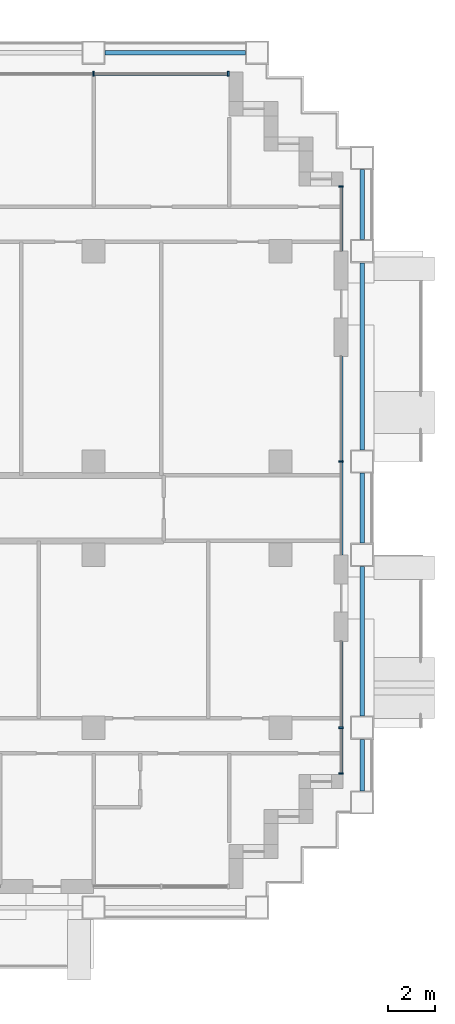
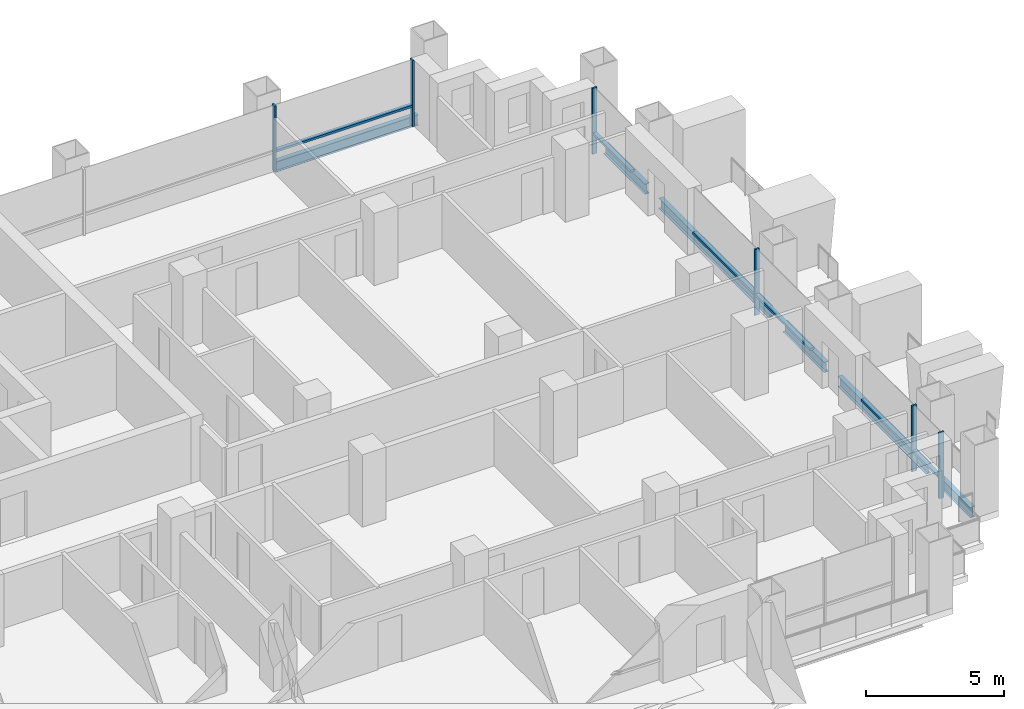
# One storey, part 6 of 18: 12 members, 6 beams, 4 elements without a shape of their own.
"""IFC4 building model written with IfcOpenShell, lengths in metres."""

import ifcopenshell
import ifcopenshell.guid

model = None  # the IFC model being written
_history = None  # IfcOwnerHistory: only IFC2X3 demands one
_inside = {}  # id of a spatial element -> (the spatial element, [elements in it])
_under = {}  # id of a project, library or spatial element -> (it, [spatial elements below it])
_declared = {}  # id of a project -> (the project, [libraries it declares])
_typed = {}  # id of a type object -> (the type object, [elements of that type])
_made_of = {}  # id of a material, layer set ... -> (it, [elements and type objects made of it])


def new_model(schema):
    """Start an empty IFC model of exactly this schema.

    Asked for "IFC4X3", IfcOpenShell would pick the latest addendum, in which some entities
    have other attributes; the version numbers below select the first issue.
    IFC2X3 requires an IfcOwnerHistory on every rooted entity: one is made here for all.
    """
    global model, _history
    if schema == "IFC4X3":
        model = ifcopenshell.file(schema_version=(4, 3, 0, 0))
    else:
        model = ifcopenshell.file(schema=schema)
    _inside.clear()
    _under.clear()
    _declared.clear()
    _typed.clear()
    _made_of.clear()
    _history = None
    if model.schema == "IFC2X3":
        org = make("IfcOrganization", Name="unknown")
        user = make(
            "IfcPersonAndOrganization",
            ThePerson=make("IfcPerson", FamilyName="unknown"),
            TheOrganization=org,
        )
        app = make(
            "IfcApplication",
            ApplicationDeveloper=org,
            Version="unknown",
            ApplicationFullName="unknown",
            ApplicationIdentifier="unknown",
        )
        _history = make(
            "IfcOwnerHistory",
            OwningUser=user,
            OwningApplication=app,
            ChangeAction="ADDED",
            CreationDate=0,
        )
    return model


def make(cls, **values):
    """One entity of the class cls with the attributes given. An attribute that is None is left unset."""
    return model.create_entity(
        cls, **{name: value for name, value in values.items() if value is not None}
    )


def rooted(cls, **values):
    """An entity with a GlobalId (a new one), such as an element, a storey or a relation."""
    return make(cls, GlobalId=ifcopenshell.guid.new(), OwnerHistory=_history, **values)


def si_unit(unit_type, name, prefix=None):
    """IfcSIUnit, for example si_unit("LENGTHUNIT", "METRE", prefix="MILLI")."""
    return make("IfcSIUnit", UnitType=unit_type, Prefix=prefix, Name=name)


def assignment(units):
    """IfcUnitAssignment: the units of a project."""
    return None if units is None else make("IfcUnitAssignment", Units=units)


def point(xyz):
    """IfcCartesianPoint."""
    return None if xyz is None else make("IfcCartesianPoint", Coordinates=xyz)


def direction(xyz):
    """IfcDirection."""
    return None if xyz is None else make("IfcDirection", DirectionRatios=xyz)


def frame(location, z_axis=None, x_axis=None):
    """IfcAxis2Placement3D, a coordinate frame: its origin and axes. An axis left out is left unset."""
    return make(
        "IfcAxis2Placement3D",
        Location=point(location),
        Axis=direction(z_axis),
        RefDirection=direction(x_axis),
    )


def frame_2d(location, x_axis=None):
    """IfcAxis2Placement2D, a coordinate frame in the plane: its origin and x axis."""
    return make(
        "IfcAxis2Placement2D", Location=point(location), RefDirection=direction(x_axis)
    )


def origin():
    """The frame at (0, 0, 0) with its axes left unset."""
    return frame((0.0, 0.0, 0.0))


def origin_2d():
    """The frame at (0, 0) in the plane with its x axis left unset."""
    return frame_2d((0.0, 0.0))


def place(relative_to, where):
    """IfcLocalPlacement: puts the frame where relative to a parent placement (None: the world)."""
    return make(
        "IfcLocalPlacement", PlacementRelTo=relative_to, RelativePlacement=where
    )


def context(
    kind, dimensions, precision=None, world=None, true_north=None, identifier=None
):
    """IfcGeometricRepresentationContext, for example the 3D "Model" context."""
    return make(
        "IfcGeometricRepresentationContext",
        ContextIdentifier=identifier,
        ContextType=kind,
        CoordinateSpaceDimension=dimensions,
        Precision=precision,
        WorldCoordinateSystem=world,
        TrueNorth=true_north,
    )


def subcontext(parent, identifier, kind, view, scale=None):
    """IfcGeometricRepresentationSubContext, for example "Body" below "Model"."""
    return make(
        "IfcGeometricRepresentationSubContext",
        ContextIdentifier=identifier,
        ContextType=kind,
        ParentContext=parent,
        TargetScale=scale,
        TargetView=view,
    )


def project(units=None, contexts=None):
    """IfcProject with its units and contexts."""
    return rooted(
        "IfcProject",
        Name="project",
        RepresentationContexts=contexts,
        UnitsInContext=assignment(units),
    )


def spatial(cls, under=None, at=None, **own):
    """A site, building, storey or space (cls), placed at a placement, below another one or the project."""
    s = rooted(cls, ObjectPlacement=at, **own)
    if under is not None:
        _under.setdefault(under.id(), (under, []))[1].append(s)
    return s


def profile(cls, at=None, kind="AREA", **sizes):
    """A parametric profile (cls). Its sizes go by their IFC names, for example OverallWidth=200.0."""
    return make(cls, ProfileType=kind, Position=at, **sizes)


def rectangle(**sizes):
    """IfcRectangleProfileDef."""
    return profile("IfcRectangleProfileDef", **sizes)


def i_section(**sizes):
    """IfcIShapeProfileDef."""
    return profile("IfcIShapeProfileDef", **sizes)


def extrude(swept, where, along, depth):
    """IfcExtrudedAreaSolid: the profile swept, set in the frame where, extruded along a direction by depth."""
    return make(
        "IfcExtrudedAreaSolid",
        SweptArea=swept,
        Position=where,
        ExtrudedDirection=direction(along),
        Depth=depth,
    )


def shape(context_of_items, identifier, shape_type, items):
    """IfcShapeRepresentation: the items that make up one representation, for example the "Body"."""
    return make(
        "IfcShapeRepresentation",
        ContextOfItems=context_of_items,
        RepresentationIdentifier=identifier,
        RepresentationType=shape_type,
        Items=items,
    )


def material(Name=None, Category=None):
    """IfcMaterial."""
    return make("IfcMaterial", Name=Name, Category=Category)


def material_profile(
    of_material, cross_section, Name=None, Category=None, Priority=None
):
    """IfcMaterialProfile: a cross section and its material."""
    return make(
        "IfcMaterialProfile",
        Name=Name,
        Material=of_material,
        Profile=cross_section,
        Priority=Priority,
        Category=Category,
    )


def profile_set(profiles, Name=None, composite=None):
    """IfcMaterialProfileSet."""
    return make(
        "IfcMaterialProfileSet",
        Name=Name,
        MaterialProfiles=profiles,
        CompositeProfile=composite,
    )


def made_of(thing, what):
    """Note that an element or type object is made of a material, layer set ...; save() writes the relation."""
    if what is not None:
        _made_of.setdefault(what.id(), (what, []))[1].append(thing)
    return thing


def type_object(cls, material=None, **own):
    """A type object (cls), such as IfcWallType, which elements share."""
    return made_of(rooted(cls, **own), material)


def element(
    cls,
    number,
    at=None,
    inside=None,
    cuts=None,
    type_object=None,
    material=None,
    context=None,
    identifier="Body",
    shape_type=None,
    held_by="IfcProductDefinitionShape",
    body=None,
    shapes=None,
    **own,
):
    """One element of the class cls, such as IfcWall. Its Tag is "e" and its number.

    at: its placement. inside: the storey or other place that contains it. cuts: it is an
    opening in that element (IfcRelVoidsElement). A single representation is given by context,
    identifier, shape_type and body (its items); several are given by shapes. held_by: the class
    of the entity that holds the representations. save() writes the other relations.
    """
    e = rooted(cls, Tag="e%d" % number, ObjectPlacement=at, **own)
    if body is not None:
        shapes = [shape(context, identifier, shape_type, body)]
    if shapes is not None:
        e.Representation = make(held_by, Representations=shapes)
    if inside is not None:
        _inside.setdefault(inside.id(), (inside, []))[1].append(e)
    if cuts is not None:
        rooted(
            "IfcRelVoidsElement", RelatingBuildingElement=cuts, RelatedOpeningElement=e
        )
    if type_object is not None:
        _typed.setdefault(type_object.id(), (type_object, []))[1].append(e)
    return made_of(e, material)


def aggregate(whole, parts):
    """IfcRelAggregates: a whole, such as a stair, and the parts it consists of."""
    return rooted("IfcRelAggregates", RelatingObject=whole, RelatedObjects=parts)


def save(model, path):
    """Write the relations noted so far, then the file.

    IfcRelAggregates (storeys below a building ...), IfcRelContainedInSpatialStructure (elements
    in a storey), IfcRelDefinesByType, IfcRelAssociatesMaterial and IfcRelDeclares: one each for
    every whole, place, type object, material and project.
    """
    for whole, parts in _under.values():
        aggregate(whole, parts)
    for where, things in _inside.values():
        rooted(
            "IfcRelContainedInSpatialStructure",
            RelatedElements=things,
            RelatingStructure=where,
        )
    for kind, things in _typed.values():
        rooted("IfcRelDefinesByType", RelatedObjects=things, RelatingType=kind)
    for what, things in _made_of.values():
        rooted("IfcRelAssociatesMaterial", RelatedObjects=things, RelatingMaterial=what)
    for by, libraries in _declared.values():
        rooted("IfcRelDeclares", RelatingContext=by, RelatedDefinitions=libraries)
    model.write(path)


model = new_model("IFC4")

# Units and contexts
model_context = context("Model", 3, precision=1e-05, world=origin(), true_north=direction((0.0, 1.0)))
body_context = subcontext(model_context, "Body", "Model", "MODEL_VIEW")
ifc_project = project(units=[si_unit("LENGTHUNIT", "METRE"), si_unit("AREAUNIT", "SQUARE_METRE"), si_unit("VOLUMEUNIT", "CUBIC_METRE"), si_unit("PLANEANGLEUNIT", "RADIAN"), si_unit("MASSUNIT", "GRAM", prefix="KILO")], contexts=[model_context])

# Site, building, storey
site_placement = place(None, origin())
site = spatial("IfcSite", under=ifc_project, at=site_placement, CompositionType="ELEMENT")
building_placement = place(site_placement, origin())
building = spatial("IfcBuilding", under=site, at=building_placement, Name="Vidyagriha Tower", CompositionType="ELEMENT")
storey_placement = place(building_placement, frame((0.0, 0.0, 54.39990234375)))
storey = spatial("IfcBuildingStorey", under=building, at=storey_placement, Name="L14", CompositionType="ELEMENT", Elevation=54.39990234375)

# Beams
ifc_material_1 = material(Name="Steel ASTM A992 Grade 50", Category="steel")
ifc_material_profile_1 = material_profile(ifc_material_1, i_section(OverallWidth=0.19189453125, OverallDepth=0.46240234375, WebThickness=0.010498046875, FlangeThickness=0.017578125, at=origin_2d()), Name="W18X60")
ifc_profile_set_1 = profile_set([ifc_material_profile_1], Name="Steel ASTM A992 Grade 50")
beam_type = type_object("IfcBeamType", Name="Edge beam W18X60", PredefinedType="SPANDREL", material=ifc_profile_set_1)
beam_1_placement = place(storey_placement, frame((37.5, -12.10009765625, -0.510986328125), z_axis=(0.0, 1.0, 0.0), x_axis=(-1.0, 0.0, 0.0)))
element("IfcBeam", 1, at=beam_1_placement, inside=storey, type_object=beam_type, Name="st-beam-L14-E15", PredefinedType="SPANDREL", context=body_context, shape_type="SweptSolid", body=[
    extrude(i_section(OverallWidth=0.19189453125, OverallDepth=0.46240234375, WebThickness=0.010498046875, FlangeThickness=0.017578125, at=origin_2d()), origin(), (0.0, 0.0, 1.0), 2.2001953125),
])
beam_2_placement = place(storey_placement, frame((37.5, -8.89990234375, -0.510986328125), z_axis=(0.0, 1.0, 0.0), x_axis=(-1.0, 0.0, 0.0)))
element("IfcBeam", 2, at=beam_2_placement, inside=storey, type_object=beam_type, Name="st-beam-L14-E16", PredefinedType="SPANDREL", context=body_context, shape_type="SweptSolid", body=[
    extrude(i_section(OverallWidth=0.19189453125, OverallDepth=0.46240234375, WebThickness=0.010498046875, FlangeThickness=0.017578125, at=origin_2d()), origin(), (0.0, 0.0, 1.0), 6.39990234375),
])
beam_3_placement = place(storey_placement, frame((37.5, -1.5, -0.510986328125), z_axis=(0.0, 1.0, 0.0), x_axis=(-1.0, 0.0, 0.0)))
element("IfcBeam", 3, at=beam_3_placement, inside=storey, type_object=beam_type, Name="st-beam-L14-E17", PredefinedType="SPANDREL", context=body_context, shape_type="SweptSolid", body=[
    extrude(i_section(OverallWidth=0.19189453125, OverallDepth=0.46240234375, WebThickness=0.010498046875, FlangeThickness=0.017578125, at=origin_2d()), origin(), (0.0, 0.0, 1.0), 3.0),
])
beam_4_placement = place(storey_placement, frame((37.5, 2.5, -0.510986328125), z_axis=(0.0, 1.0, 0.0), x_axis=(-1.0, 0.0, 0.0)))
element("IfcBeam", 4, at=beam_4_placement, inside=storey, type_object=beam_type, Name="st-beam-L14-E18", PredefinedType="SPANDREL", context=body_context, shape_type="SweptSolid", body=[
    extrude(i_section(OverallWidth=0.19189453125, OverallDepth=0.46240234375, WebThickness=0.010498046875, FlangeThickness=0.017578125, at=origin_2d()), origin(), (0.0, 0.0, 1.0), 8.0),
])
beam_5_placement = place(storey_placement, frame((37.5, 11.5, -0.510986328125), z_axis=(0.0, 1.0, 0.0), x_axis=(-1.0, 0.0, 0.0)))
element("IfcBeam", 5, at=beam_5_placement, inside=storey, type_object=beam_type, Name="st-beam-L14-E19", PredefinedType="SPANDREL", context=body_context, shape_type="SweptSolid", body=[
    extrude(i_section(OverallWidth=0.19189453125, OverallDepth=0.46240234375, WebThickness=0.010498046875, FlangeThickness=0.017578125, at=origin_2d()), origin(), (0.0, 0.0, 1.0), 3.0),
])
beam_6_placement = place(storey_placement, frame((26.5, 19.5, -0.510986328125), z_axis=(1.0, 0.0, 0.0), x_axis=(0.0, 1.0, 0.0)))
element("IfcBeam", 6, at=beam_6_placement, inside=storey, type_object=beam_type, Name="st-beam-L14-NE23", PredefinedType="SPANDREL", context=body_context, shape_type="SweptSolid", body=[
    extrude(i_section(OverallWidth=0.19189453125, OverallDepth=0.46240234375, WebThickness=0.010498046875, FlangeThickness=0.017578125, at=origin_2d()), origin(), (0.0, 0.0, 1.0), 6.0),
])

# Curtain wall, members
ifc_material_2 = material(Name="Aluminium and glass curtain wall", Category="aluminium")
curtain_wall_type = type_object("IfcCurtainWallType", Name="Dwelling skin unitised curtain wall", PredefinedType="USERDEFINED", material=ifc_material_2)
curtain_wall_1_placement = place(storey_placement, origin())
curtain_wall_1 = element("IfcCurtainWall", 7, at=curtain_wall_1_placement, inside=storey, type_object=curtain_wall_type, Name="CW1 dwelling skin", ObjectType="UNITISED", PredefinedType="USERDEFINED")
ifc_material_3 = material(Name="Aluminium black anodised", Category="aluminium")
ifc_material_profile_2 = material_profile(ifc_material_3, rectangle(XDim=0.199951171875, YDim=0.070068359375, at=origin_2d()), Name="Mullion 70x200 black aluminium")
ifc_profile_set_2 = profile_set([ifc_material_profile_2], Name="Aluminium black anodised")
member_type_1 = type_object("IfcMemberType", Name="Mullion 70x200 black aluminium", PredefinedType="MULLION", material=ifc_profile_set_2)
member_1_placement = place(storey_placement, frame((31.764892578125, 18.60009765625, 0.0), z_axis=(0.0, 0.0, 1.0), x_axis=(0.0, -1.0, 0.0)))
member_1 = element("IfcMember", 8, at=member_1_placement, type_object=member_type_1, Name="CW1 mullion 1", PredefinedType="MULLION", context=body_context, shape_type="SweptSolid", body=[
    extrude(rectangle(XDim=0.199951171875, YDim=0.070068359375, at=origin_2d()), origin(), (0.0, 0.0, 1.0), 2.920166015625),
])
member_2_placement = place(storey_placement, frame((26.0, 18.60009765625, 0.0), z_axis=(0.0, 0.0, 1.0), x_axis=(0.0, -1.0, 0.0)))
member_2 = element("IfcMember", 9, at=member_2_placement, type_object=member_type_1, Name="CW1 mullion 2", PredefinedType="MULLION", context=body_context, shape_type="SweptSolid", body=[
    extrude(rectangle(XDim=0.199951171875, YDim=0.070068359375, at=origin_2d()), origin(), (0.0, 0.0, 1.0), 2.920166015625),
])

curtain_wall_2_placement = place(storey_placement, origin())
curtain_wall_2 = element("IfcCurtainWall", 10, at=curtain_wall_2_placement, inside=storey, type_object=curtain_wall_type, Name="CW1 dwelling skin", ObjectType="UNITISED", PredefinedType="USERDEFINED")
member_3_placement = place(storey_placement, frame((36.60009765625, -11.364990234375, 0.0), z_axis=(0.0, 0.0, 1.0), x_axis=(-1.0, 0.0, 0.0)))
member_3 = element("IfcMember", 11, at=member_3_placement, type_object=member_type_1, Name="CW1 mullion 1", PredefinedType="MULLION", context=body_context, shape_type="SweptSolid", body=[
    extrude(rectangle(XDim=0.199951171875, YDim=0.070068359375, at=origin_2d()), origin(), (0.0, 0.0, 1.0), 2.920166015625),
])
member_4_placement = place(storey_placement, frame((36.60009765625, -9.39990234375, 0.0), z_axis=(0.0, 0.0, 1.0), x_axis=(-1.0, 0.0, 0.0)))
member_4 = element("IfcMember", 12, at=member_4_placement, type_object=member_type_1, Name="CW1 mullion 2", PredefinedType="MULLION", context=body_context, shape_type="SweptSolid", body=[
    extrude(rectangle(XDim=0.199951171875, YDim=0.070068359375, at=origin_2d()), origin(), (0.0, 0.0, 1.0), 2.920166015625),
])

# Curtain wall, member
curtain_wall_3_placement = place(storey_placement, origin())
curtain_wall_3 = element("IfcCurtainWall", 13, at=curtain_wall_3_placement, inside=storey, type_object=curtain_wall_type, Name="CW1 dwelling skin", ObjectType="UNITISED", PredefinedType="USERDEFINED")
member_5_placement = place(storey_placement, frame((36.60009765625, 2.0, 0.0), z_axis=(0.0, 0.0, 1.0), x_axis=(-1.0, 0.0, 0.0)))
member_5 = element("IfcMember", 14, at=member_5_placement, type_object=member_type_1, Name="CW1 mullion 2", PredefinedType="MULLION", context=body_context, shape_type="SweptSolid", body=[
    extrude(rectangle(XDim=0.199951171875, YDim=0.070068359375, at=origin_2d()), origin(), (0.0, 0.0, 1.0), 2.920166015625),
])

curtain_wall_4_placement = place(storey_placement, origin())
curtain_wall_4 = element("IfcCurtainWall", 15, at=curtain_wall_4_placement, inside=storey, type_object=curtain_wall_type, Name="CW1 dwelling skin", ObjectType="UNITISED", PredefinedType="USERDEFINED")
member_6_placement = place(storey_placement, frame((36.60009765625, 13.764892578125, 0.0), z_axis=(0.0, 0.0, 1.0), x_axis=(-1.0, 0.0, 0.0)))
member_6 = element("IfcMember", 16, at=member_6_placement, type_object=member_type_1, Name="CW1 mullion 2", PredefinedType="MULLION", context=body_context, shape_type="SweptSolid", body=[
    extrude(rectangle(XDim=0.199951171875, YDim=0.070068359375, at=origin_2d()), origin(), (0.0, 0.0, 1.0), 2.920166015625),
])

# Member
ifc_material_4 = material(Name="Aluminium black anodised", Category="aluminium")
ifc_material_profile_3 = material_profile(ifc_material_4, rectangle(XDim=0.159912109375, YDim=0.10009765625, at=origin_2d()), Name="Transom 100x160 black aluminium")
ifc_profile_set_3 = profile_set([ifc_material_profile_3], Name="Aluminium black anodised")
member_type_2 = type_object("IfcMemberType", Name="Transom 100x160 black aluminium", PredefinedType="USERDEFINED", material=ifc_profile_set_3)
member_7_placement = place(storey_placement, frame((31.72998046875, 18.60009765625, 0.900146484375), z_axis=(-1.0, 0.0, 0.0), x_axis=(0.0, -1.0, 0.0)))
member_7 = element("IfcMember", 17, at=member_7_placement, type_object=member_type_2, Name="CW1 transom 1.1", ObjectType="TRANSOM", PredefinedType="USERDEFINED", context=body_context, shape_type="SweptSolid", body=[
    extrude(rectangle(XDim=0.159912109375, YDim=0.10009765625, at=origin_2d()), origin(), (0.0, 0.0, 1.0), 5.695068359375),
])

aggregate(curtain_wall_1, [member_1, member_2, member_7])

member_8_placement = place(storey_placement, frame((36.60009765625, -11.330078125, 0.900146484375), z_axis=(0.0, 1.0, 0.0), x_axis=(-1.0, 0.0, 0.0)))
member_8 = element("IfcMember", 18, at=member_8_placement, type_object=member_type_2, Name="CW1 transom 1.1", ObjectType="TRANSOM", PredefinedType="USERDEFINED", context=body_context, shape_type="SweptSolid", body=[
    extrude(rectangle(XDim=0.159912109375, YDim=0.10009765625, at=origin_2d()), origin(), (0.0, 0.0, 1.0), 1.89501953125),
])

member_9_placement = place(storey_placement, frame((36.60009765625, -9.364990234375, 0.900146484375), z_axis=(0.0, 1.0, 0.0), x_axis=(-1.0, 0.0, 0.0)))
member_9 = element("IfcMember", 19, at=member_9_placement, type_object=member_type_2, Name="CW1 transom 2.1", ObjectType="TRANSOM", PredefinedType="USERDEFINED", context=body_context, shape_type="SweptSolid", body=[
    extrude(rectangle(XDim=0.159912109375, YDim=0.10009765625, at=origin_2d()), origin(), (0.0, 0.0, 1.0), 3.6650390625),
])

aggregate(curtain_wall_2, [member_3, member_4, member_8, member_9])

member_10_placement = place(storey_placement, frame((36.60009765625, -2.0, 0.900146484375), z_axis=(0.0, 1.0, 0.0), x_axis=(-1.0, 0.0, 0.0)))
member_10 = element("IfcMember", 20, at=member_10_placement, type_object=member_type_2, Name="CW1 transom 1.1", ObjectType="TRANSOM", PredefinedType="USERDEFINED", context=body_context, shape_type="SweptSolid", body=[
    extrude(rectangle(XDim=0.159912109375, YDim=0.10009765625, at=origin_2d()), origin(), (0.0, 0.0, 1.0), 3.965087890625),
])

member_11_placement = place(storey_placement, frame((36.60009765625, 2.034912109375, 0.900146484375), z_axis=(0.0, 1.0, 0.0), x_axis=(-1.0, 0.0, 0.0)))
member_11 = element("IfcMember", 21, at=member_11_placement, type_object=member_type_2, Name="CW1 transom 2.1", ObjectType="TRANSOM", PredefinedType="USERDEFINED", context=body_context, shape_type="SweptSolid", body=[
    extrude(rectangle(XDim=0.159912109375, YDim=0.10009765625, at=origin_2d()), origin(), (0.0, 0.0, 1.0), 4.465087890625),
])

aggregate(curtain_wall_3, [member_5, member_10, member_11])

member_12_placement = place(storey_placement, frame((36.60009765625, 11.0, 0.900146484375), z_axis=(0.0, 1.0, 0.0), x_axis=(-1.0, 0.0, 0.0)))
member_12 = element("IfcMember", 22, at=member_12_placement, type_object=member_type_2, Name="CW1 transom 1.1", ObjectType="TRANSOM", PredefinedType="USERDEFINED", context=body_context, shape_type="SweptSolid", body=[
    extrude(rectangle(XDim=0.159912109375, YDim=0.10009765625, at=origin_2d()), origin(), (0.0, 0.0, 1.0), 2.72998046875),
])

aggregate(curtain_wall_4, [member_6, member_12])

save(model, "model.ifc")
